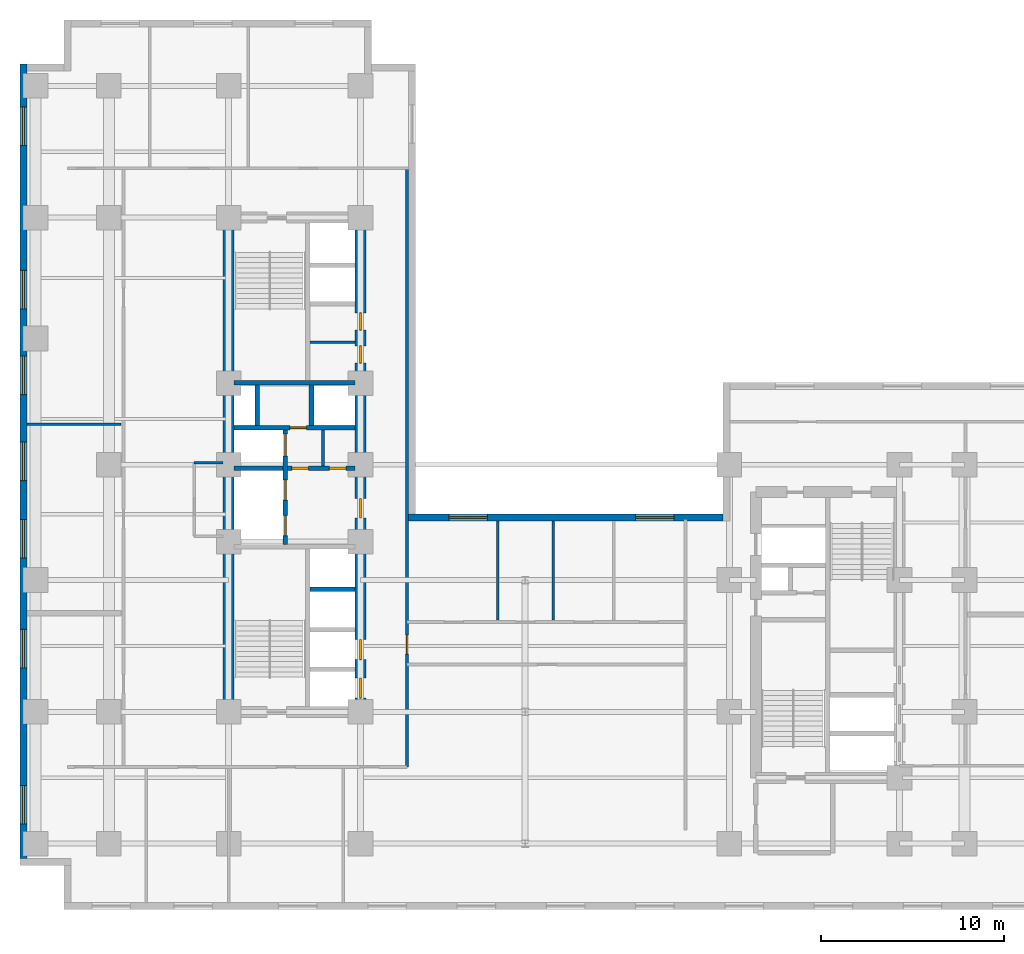
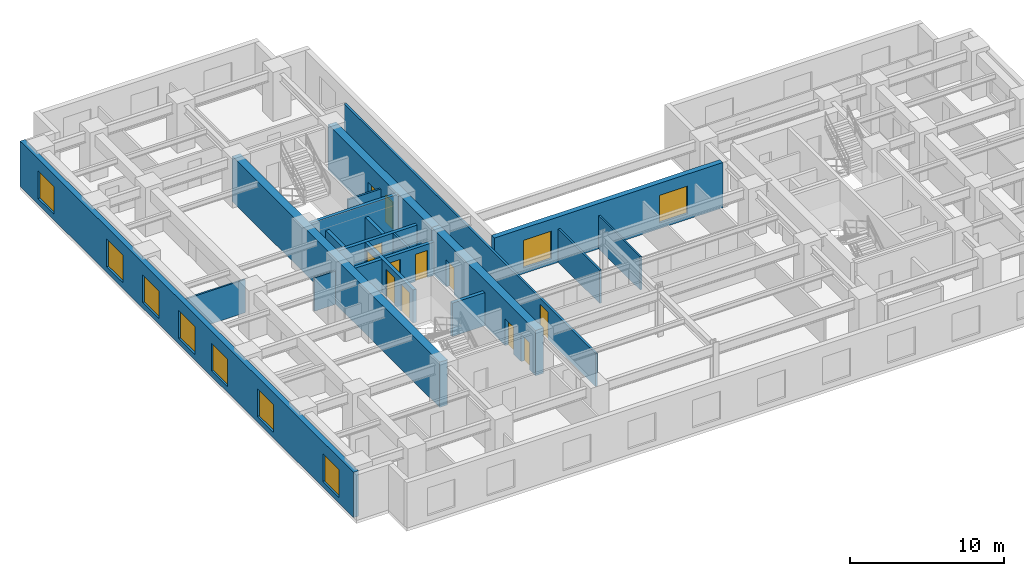
# One storey, part 4 of 10: 19 walls, 12 doors, 9 windows, 21 openings.
"""IFC4 building model written with IfcOpenShell, lengths in metres."""

from ifc_helpers import new_model, entity, si_unit, converted_unit, direction, frame, origin_with_axes, origin_2d_with_axis, place, context, subcontext, project, spatial, polyline, rectangle, outline, extrude, material, layer, layer_set, type_object, element, fill, save


model = new_model("IFC4")

# Units and contexts
model_context = context("Model", 3, precision=1e-05, world=origin_with_axes(), true_north=direction((0.0, 1.0)))
body_context = subcontext(model_context, "Body", "Model", "MODEL_VIEW")
ifc_project = project(units=[si_unit("LENGTHUNIT", "METRE"), si_unit("AREAUNIT", "SQUARE_METRE"), si_unit("VOLUMEUNIT", "CUBIC_METRE"), converted_unit("PLANEANGLEUNIT", "DEGREE", entity("IfcPlaneAngleMeasure", 0.017453292519943295), si_unit("PLANEANGLEUNIT", "RADIAN"), dimensions=[0, 0, 0, 0, 0, 0, 0]), si_unit("MASSUNIT", "GRAM", prefix="KILO"), si_unit("THERMODYNAMICTEMPERATUREUNIT", "KELVIN")], contexts=[model_context])

# Site, building, storey
site_placement = place(None, origin_with_axes())
site = spatial("IfcSite", under=ifc_project, at=site_placement, CompositionType="ELEMENT")
building_placement = place(site_placement, origin_with_axes())
building = spatial("IfcBuilding", under=site, at=building_placement, Name="Varnlund Millrace Tower", CompositionType="ELEMENT")
storey_placement = place(building_placement, frame((0.0, 0.0, 75.6), z_axis=(0.0, 0.0, 1.0), x_axis=(1.0, 0.0, 0.0)))
storey = spatial("IfcBuildingStorey", under=building, at=storey_placement, Name="L18", CompositionType="ELEMENT", Elevation=75.6)

# Wall
ifc_material_1 = material(Name="Concrete C80/95", Category="concrete")
ifc_layer_1 = layer(ifc_material_1, 0.6, Name="Concrete C80/95")
ifc_layer_set_1 = layer_set([ifc_layer_1], Name="Concrete C80/95")
wall_type_1 = type_object("IfcWallType", Name="Type-CoreWall-Shear-600-C80", PredefinedType="SHEAR", material=ifc_layer_set_1)
wall_1_placement = place(storey_placement, frame((11.4, 10.8, 0.0), z_axis=(0.0, 0.0, 1.0), x_axis=(0.0, 1.0, 0.0)))
element("IfcWall", 1, at=wall_1_placement, inside=storey, type_object=wall_type_1, Name="Type-CoreWall-Shear-600-C80", PredefinedType="SHEAR", context=body_context, shape_type="SweptSolid", body=[
    extrude(outline(polyline([(0.0, -0.3), (27.0, -0.3), (27.0, 0.3), (0.0, 0.3), (0.0, -0.3)])), origin_with_axes(), (0.0, 0.0, 1.0), 3.6),
])

# Wall, openings, doors
wall_2_placement = place(storey_placement, frame((18.6, 10.8, 0.0), z_axis=(0.0, 0.0, 1.0), x_axis=(0.0, 1.0, 0.0)))
wall_2 = element("IfcWall", 2, at=wall_2_placement, inside=storey, type_object=wall_type_1, Name="Type-CoreWall-Shear-600-C80", PredefinedType="SHEAR", context=body_context, shape_type="SweptSolid", body=[
    extrude(outline(polyline([(0.0, -0.3), (13.5, -0.3), (13.5, 0.3), (0.0, 0.3), (0.0, -0.3)])), origin_with_axes(), (0.0, 0.0, 1.0), 3.6),
])
opening_1_placement = place(wall_2_placement, frame((1.3, 0.0, 0.0), z_axis=(0.0, 0.0, 1.0), x_axis=(1.0, 0.0, 0.0)))
opening_1 = element("IfcOpeningElement", 3, at=opening_1_placement, cuts=wall_2, Name="Opening L18:LD-ELV-L1", PredefinedType="OPENING", context=body_context, shape_type="SweptSolid", body=[
    extrude(rectangle(XDim=1.1, YDim=0.62, at=origin_2d_with_axis()), origin_with_axes(), (0.0, 0.0, 1.0), 2.15),
])
opening_2_placement = place(wall_2_placement, frame((3.4, 0.0, 0.0), z_axis=(0.0, 0.0, 1.0), x_axis=(1.0, 0.0, 0.0)))
opening_2 = element("IfcOpeningElement", 4, at=opening_2_placement, cuts=wall_2, Name="Opening L18:LD-ELV-L2", PredefinedType="OPENING", context=body_context, shape_type="SweptSolid", body=[
    extrude(rectangle(XDim=1.1, YDim=0.62, at=origin_2d_with_axis()), origin_with_axes(), (0.0, 0.0, 1.0), 2.15),
])
opening_3_placement = place(wall_2_placement, frame((11.125, 0.0, 0.0), z_axis=(0.0, 0.0, 1.0), x_axis=(1.0, 0.0, 0.0)))
opening_3 = element("IfcOpeningElement", 5, at=opening_3_placement, cuts=wall_2, Name="Opening L18:DR-FFLOB-A", PredefinedType="OPENING", context=body_context, shape_type="SweptSolid", body=[
    extrude(rectangle(XDim=1.05, YDim=0.62, at=origin_2d_with_axis()), origin_with_axes(), (0.0, 0.0, 1.0), 2.15),
])
ifc_material_2 = material(Name="Smoke-barrier hollow steel fire door", Category="steel")
door_type_1 = type_object("IfcDoorType", Name="Type-FireDoor-Lobby-1050X2150", OperationType="NOTDEFINED", PredefinedType="DOOR", material=ifc_material_2)
door_1_placement = place(wall_2_placement, frame((11.125, 0.0, 0.0), z_axis=(0.0, 0.0, 1.0), x_axis=(1.0, 0.0, 0.0)))
door_1 = element("IfcDoor", 6, at=door_1_placement, inside=storey, type_object=door_type_1, Name="Type-FireDoor-Lobby-1050X2150", OperationType="SINGLE_SWING_LEFT", OverallHeight=2.15, OverallWidth=1.05, PredefinedType="DOOR", context=body_context, shape_type="SweptSolid", body=[
    extrude(rectangle(XDim=1.05, YDim=0.09, at=origin_2d_with_axis()), origin_with_axes(), (0.0, 0.0, 1.0), 2.15),
])
fill(opening_3, door_1)
ifc_material_3 = material(Name="Stainless and architectural bronze sliding landing door")
door_type_2 = type_object("IfcDoorType", Name="Type-LiftLandingDoor-1100X2150", OperationType="NOTDEFINED", PredefinedType="DOOR", material=ifc_material_3)
door_2_placement = place(wall_2_placement, frame((1.3, 0.0, 0.0), z_axis=(0.0, 0.0, 1.0), x_axis=(1.0, 0.0, 0.0)))
door_2 = element("IfcDoor", 7, at=door_2_placement, inside=storey, type_object=door_type_2, Name="Type-LiftLandingDoor-1100X2150", OperationType="SLIDING_TO_LEFT", OverallHeight=2.15, OverallWidth=1.1, PredefinedType="DOOR", context=body_context, shape_type="SweptSolid", body=[
    extrude(rectangle(XDim=1.1, YDim=0.09, at=origin_2d_with_axis()), origin_with_axes(), (0.0, 0.0, 1.0), 2.15),
])
fill(opening_1, door_2)
door_3_placement = place(wall_2_placement, frame((3.4, 0.0, 0.0), z_axis=(0.0, 0.0, 1.0), x_axis=(1.0, 0.0, 0.0)))
door_3 = element("IfcDoor", 8, at=door_3_placement, inside=storey, type_object=door_type_2, Name="Type-LiftLandingDoor-1100X2150", OperationType="SLIDING_TO_RIGHT", OverallHeight=2.15, OverallWidth=1.1, PredefinedType="DOOR", context=body_context, shape_type="SweptSolid", body=[
    extrude(rectangle(XDim=1.1, YDim=0.09, at=origin_2d_with_axis()), origin_with_axes(), (0.0, 0.0, 1.0), 2.15),
])
fill(opening_2, door_3)

wall_3_placement = place(storey_placement, frame((18.6, 24.3, 0.0), z_axis=(0.0, 0.0, 1.0), x_axis=(0.0, 1.0, 0.0)))
wall_3 = element("IfcWall", 9, at=wall_3_placement, inside=storey, type_object=wall_type_1, Name="Type-CoreWall-Shear-600-C80", PredefinedType="SHEAR", context=body_context, shape_type="SweptSolid", body=[
    extrude(outline(polyline([(0.0, -0.3), (13.5, -0.3), (13.5, 0.3), (0.0, 0.3), (0.0, -0.3)])), origin_with_axes(), (0.0, 0.0, 1.0), 3.6),
])
opening_4_placement = place(wall_3_placement, frame((6.025, 0.0, 0.0), z_axis=(0.0, 0.0, 1.0), x_axis=(1.0, 0.0, 0.0)))
opening_4 = element("IfcOpeningElement", 10, at=opening_4_placement, cuts=wall_3, Name="Opening L18:DR-CA-WC1", PredefinedType="OPENING", context=body_context, shape_type="SweptSolid", body=[
    extrude(rectangle(XDim=0.95, YDim=0.62, at=origin_2d_with_axis()), origin_with_axes(), (0.0, 0.0, 1.0), 2.15),
])
opening_5_placement = place(wall_3_placement, frame((7.825, 0.0, 0.0), z_axis=(0.0, 0.0, 1.0), x_axis=(1.0, 0.0, 0.0)))
opening_5 = element("IfcOpeningElement", 11, at=opening_5_placement, cuts=wall_3, Name="Opening L18:DR-CA-WC2", PredefinedType="OPENING", context=body_context, shape_type="SweptSolid", body=[
    extrude(rectangle(XDim=0.95, YDim=0.62, at=origin_2d_with_axis()), origin_with_axes(), (0.0, 0.0, 1.0), 2.15),
])
ifc_material_4 = material(Name="Fire-rated hollow steel core service door", Category="steel")
door_type_3 = type_object("IfcDoorType", Name="Type-FireDoor-Service-950X2150", OperationType="NOTDEFINED", PredefinedType="DOOR", material=ifc_material_4)
door_4_placement = place(wall_3_placement, frame((6.025, 0.0, 0.0), z_axis=(0.0, 0.0, 1.0), x_axis=(1.0, 0.0, 0.0)))
door_4 = element("IfcDoor", 12, at=door_4_placement, inside=storey, type_object=door_type_3, Name="Type-FireDoor-Service-950X2150", OperationType="SINGLE_SWING_RIGHT", OverallHeight=2.15, OverallWidth=0.95, PredefinedType="DOOR", context=body_context, shape_type="SweptSolid", body=[
    extrude(rectangle(XDim=0.95, YDim=0.09, at=origin_2d_with_axis()), origin_with_axes(), (0.0, 0.0, 1.0), 2.15),
])
fill(opening_4, door_4)
door_5_placement = place(wall_3_placement, frame((7.825, 0.0, 0.0), z_axis=(0.0, 0.0, 1.0), x_axis=(1.0, 0.0, 0.0)))
door_5 = element("IfcDoor", 13, at=door_5_placement, inside=storey, type_object=door_type_3, Name="Type-FireDoor-Service-950X2150", OperationType="SINGLE_SWING_RIGHT", OverallHeight=2.15, OverallWidth=0.95, PredefinedType="DOOR", context=body_context, shape_type="SweptSolid", body=[
    extrude(rectangle(XDim=0.95, YDim=0.09, at=origin_2d_with_axis()), origin_with_axes(), (0.0, 0.0, 1.0), 2.15),
])
fill(opening_5, door_5)

# Wall, openings, windows
ifc_material_5 = material(Name="Precast concrete C50/60", Category="concrete")
ifc_layer_2 = layer(ifc_material_5, 0.38, Name="Precast concrete C50/60")
ifc_layer_set_2 = layer_set([ifc_layer_2], Name="Precast concrete C50/60")
wall_type_2 = type_object("IfcWallType", Name="Type-ExtWall-Precast-Tube-380", PredefinedType="SOLIDWALL", material=ifc_layer_set_2)
wall_4_placement = place(storey_placement, frame((0.19, 2.78, 0.0), z_axis=(0.0, 0.0, 1.0), x_axis=(0.0, 1.0, 0.0)))
wall_4 = element("IfcWall", 14, at=wall_4_placement, inside=storey, type_object=wall_type_2, Name="Type-ExtWall-Precast-Tube-380", PredefinedType="SOLIDWALL", context=body_context, shape_type="SweptSolid", body=[
    extrude(outline(polyline([(0.0, -0.19), (43.42, -0.19), (43.42, 0.19), (0.0, 0.19), (0.0, -0.19)])), origin_with_axes(), (0.0, 0.0, 1.0), 3.6),
])
opening_6_placement = place(wall_4_placement, frame((2.946, 0.0, 0.45), z_axis=(0.0, 0.0, 1.0), x_axis=(1.0, 0.0, 0.0)))
opening_6 = element("IfcOpeningElement", 15, at=opening_6_placement, cuts=wall_4, Name="Opening L18:WN-17", PredefinedType="OPENING", context=body_context, shape_type="SweptSolid", body=[
    extrude(rectangle(XDim=2.1, YDim=0.4, at=origin_2d_with_axis()), origin_with_axes(), (0.0, 0.0, 1.0), 2.2),
])
opening_7_placement = place(wall_4_placement, frame((11.478, 0.0, 0.45), z_axis=(0.0, 0.0, 1.0), x_axis=(1.0, 0.0, 0.0)))
opening_7 = element("IfcOpeningElement", 16, at=opening_7_placement, cuts=wall_4, Name="Opening L18:WN-18", PredefinedType="OPENING", context=body_context, shape_type="SweptSolid", body=[
    extrude(rectangle(XDim=2.1, YDim=0.4, at=origin_2d_with_axis()), origin_with_axes(), (0.0, 0.0, 1.0), 2.2),
])
opening_8_placement = place(wall_4_placement, frame((17.469, 0.0, 0.45), z_axis=(0.0, 0.0, 1.0), x_axis=(1.0, 0.0, 0.0)))
opening_8 = element("IfcOpeningElement", 17, at=opening_8_placement, cuts=wall_4, Name="Opening L18:WN-19", PredefinedType="OPENING", context=body_context, shape_type="SweptSolid", body=[
    extrude(rectangle(XDim=2.1, YDim=0.4, at=origin_2d_with_axis()), origin_with_axes(), (0.0, 0.0, 1.0), 2.2),
])
opening_9_placement = place(wall_4_placement, frame((21.71, 0.0, 0.45), z_axis=(0.0, 0.0, 1.0), x_axis=(1.0, 0.0, 0.0)))
opening_9 = element("IfcOpeningElement", 18, at=opening_9_placement, cuts=wall_4, Name="Opening L18:WN-20", PredefinedType="OPENING", context=body_context, shape_type="SweptSolid", body=[
    extrude(rectangle(XDim=2.1, YDim=0.4, at=origin_2d_with_axis()), origin_with_axes(), (0.0, 0.0, 1.0), 2.2),
])
opening_10_placement = place(wall_4_placement, frame((26.401, 0.0, 0.45), z_axis=(0.0, 0.0, 1.0), x_axis=(1.0, 0.0, 0.0)))
opening_10 = element("IfcOpeningElement", 19, at=opening_10_placement, cuts=wall_4, Name="Opening L18:WN-21", PredefinedType="OPENING", context=body_context, shape_type="SweptSolid", body=[
    extrude(rectangle(XDim=2.1, YDim=0.4, at=origin_2d_with_axis()), origin_with_axes(), (0.0, 0.0, 1.0), 2.2),
])
opening_11_placement = place(wall_4_placement, frame((31.092, 0.0, 0.45), z_axis=(0.0, 0.0, 1.0), x_axis=(1.0, 0.0, 0.0)))
opening_11 = element("IfcOpeningElement", 20, at=opening_11_placement, cuts=wall_4, Name="Opening L18:WN-22", PredefinedType="OPENING", context=body_context, shape_type="SweptSolid", body=[
    extrude(rectangle(XDim=2.1, YDim=0.4, at=origin_2d_with_axis()), origin_with_axes(), (0.0, 0.0, 1.0), 2.2),
])
opening_12_placement = place(wall_4_placement, frame((40.024, 0.0, 0.45), z_axis=(0.0, 0.0, 1.0), x_axis=(1.0, 0.0, 0.0)))
opening_12 = element("IfcOpeningElement", 21, at=opening_12_placement, cuts=wall_4, Name="Opening L18:WN-23", PredefinedType="OPENING", context=body_context, shape_type="SweptSolid", body=[
    extrude(rectangle(XDim=2.1, YDim=0.4, at=origin_2d_with_axis()), origin_with_axes(), (0.0, 0.0, 1.0), 2.2),
])
ifc_material_6 = material(Name="Argon low-e triple glazing in thermally broken bronze frame", Category="glass")
window_type = type_object("IfcWindowType", Name="Type-Window-Punched-2100X2200", PartitioningType="SINGLE_PANEL", PredefinedType="WINDOW", material=ifc_material_6)
window_1_placement = place(wall_4_placement, frame((2.946, 0.0, 0.45), z_axis=(0.0, 0.0, 1.0), x_axis=(1.0, 0.0, 0.0)))
window_1 = element("IfcWindow", 22, at=window_1_placement, inside=storey, type_object=window_type, Name="Type-Window-Punched-2100X2200", OverallHeight=2.2, OverallWidth=2.1, PredefinedType="WINDOW", context=body_context, shape_type="SweptSolid", body=[
    extrude(rectangle(XDim=2.1, YDim=0.09, at=origin_2d_with_axis()), origin_with_axes(), (0.0, 0.0, 1.0), 2.2),
])
fill(opening_6, window_1)
window_2_placement = place(wall_4_placement, frame((11.478, 0.0, 0.45), z_axis=(0.0, 0.0, 1.0), x_axis=(1.0, 0.0, 0.0)))
window_2 = element("IfcWindow", 23, at=window_2_placement, inside=storey, type_object=window_type, Name="Type-Window-Punched-2100X2200", OverallHeight=2.2, OverallWidth=2.1, PredefinedType="WINDOW", context=body_context, shape_type="SweptSolid", body=[
    extrude(rectangle(XDim=2.1, YDim=0.09, at=origin_2d_with_axis()), origin_with_axes(), (0.0, 0.0, 1.0), 2.2),
])
fill(opening_7, window_2)
window_3_placement = place(wall_4_placement, frame((17.469, 0.0, 0.45), z_axis=(0.0, 0.0, 1.0), x_axis=(1.0, 0.0, 0.0)))
window_3 = element("IfcWindow", 24, at=window_3_placement, inside=storey, type_object=window_type, Name="Type-Window-Punched-2100X2200", OverallHeight=2.2, OverallWidth=2.1, PredefinedType="WINDOW", context=body_context, shape_type="SweptSolid", body=[
    extrude(rectangle(XDim=2.1, YDim=0.09, at=origin_2d_with_axis()), origin_with_axes(), (0.0, 0.0, 1.0), 2.2),
])
fill(opening_8, window_3)
window_4_placement = place(wall_4_placement, frame((21.71, 0.0, 0.45), z_axis=(0.0, 0.0, 1.0), x_axis=(1.0, 0.0, 0.0)))
window_4 = element("IfcWindow", 25, at=window_4_placement, inside=storey, type_object=window_type, Name="Type-Window-Punched-2100X2200", OverallHeight=2.2, OverallWidth=2.1, PredefinedType="WINDOW", context=body_context, shape_type="SweptSolid", body=[
    extrude(rectangle(XDim=2.1, YDim=0.09, at=origin_2d_with_axis()), origin_with_axes(), (0.0, 0.0, 1.0), 2.2),
])
fill(opening_9, window_4)
window_5_placement = place(wall_4_placement, frame((26.401, 0.0, 0.45), z_axis=(0.0, 0.0, 1.0), x_axis=(1.0, 0.0, 0.0)))
window_5 = element("IfcWindow", 26, at=window_5_placement, inside=storey, type_object=window_type, Name="Type-Window-Punched-2100X2200", OverallHeight=2.2, OverallWidth=2.1, PredefinedType="WINDOW", context=body_context, shape_type="SweptSolid", body=[
    extrude(rectangle(XDim=2.1, YDim=0.09, at=origin_2d_with_axis()), origin_with_axes(), (0.0, 0.0, 1.0), 2.2),
])
fill(opening_10, window_5)
window_6_placement = place(wall_4_placement, frame((31.092, 0.0, 0.45), z_axis=(0.0, 0.0, 1.0), x_axis=(1.0, 0.0, 0.0)))
window_6 = element("IfcWindow", 27, at=window_6_placement, inside=storey, type_object=window_type, Name="Type-Window-Punched-2100X2200", OverallHeight=2.2, OverallWidth=2.1, PredefinedType="WINDOW", context=body_context, shape_type="SweptSolid", body=[
    extrude(rectangle(XDim=2.1, YDim=0.09, at=origin_2d_with_axis()), origin_with_axes(), (0.0, 0.0, 1.0), 2.2),
])
fill(opening_11, window_6)
window_7_placement = place(wall_4_placement, frame((40.024, 0.0, 0.45), z_axis=(0.0, 0.0, 1.0), x_axis=(1.0, 0.0, 0.0)))
window_7 = element("IfcWindow", 28, at=window_7_placement, inside=storey, type_object=window_type, Name="Type-Window-Punched-2100X2200", OverallHeight=2.2, OverallWidth=2.1, PredefinedType="WINDOW", context=body_context, shape_type="SweptSolid", body=[
    extrude(rectangle(XDim=2.1, YDim=0.09, at=origin_2d_with_axis()), origin_with_axes(), (0.0, 0.0, 1.0), 2.2),
])
fill(opening_12, window_7)

wall_5_placement = place(storey_placement, frame((21.22, 21.41, 0.0), z_axis=(0.0, 0.0, 1.0), x_axis=(1.0, 0.0, 0.0)))
wall_5 = element("IfcWall", 29, at=wall_5_placement, inside=storey, type_object=wall_type_2, Name="Type-ExtWall-Precast-Tube-380", PredefinedType="SOLIDWALL", context=body_context, shape_type="SweptSolid", body=[
    extrude(outline(polyline([(0.0, -0.19), (17.18, -0.19), (17.18, 0.19), (0.0, 0.19), (0.0, -0.19)])), origin_with_axes(), (0.0, 0.0, 1.0), 3.6),
])
opening_13_placement = place(wall_5_placement, frame((3.263, 0.0, 0.45), z_axis=(0.0, 0.0, 1.0), x_axis=(1.0, 0.0, 0.0)))
opening_13 = element("IfcOpeningElement", 30, at=opening_13_placement, cuts=wall_5, Name="Opening L18:WN-28", PredefinedType="OPENING", context=body_context, shape_type="SweptSolid", body=[
    extrude(rectangle(XDim=2.1, YDim=0.4, at=origin_2d_with_axis()), origin_with_axes(), (0.0, 0.0, 1.0), 2.2),
])
opening_14_placement = place(wall_5_placement, frame((13.467, 0.0, 0.45), z_axis=(0.0, 0.0, 1.0), x_axis=(1.0, 0.0, 0.0)))
opening_14 = element("IfcOpeningElement", 31, at=opening_14_placement, cuts=wall_5, Name="Opening L18:WN-29", PredefinedType="OPENING", context=body_context, shape_type="SweptSolid", body=[
    extrude(rectangle(XDim=2.1, YDim=0.4, at=origin_2d_with_axis()), origin_with_axes(), (0.0, 0.0, 1.0), 2.2),
])
window_8_placement = place(wall_5_placement, frame((3.263, 0.0, 0.45), z_axis=(0.0, 0.0, 1.0), x_axis=(1.0, 0.0, 0.0)))
window_8 = element("IfcWindow", 32, at=window_8_placement, inside=storey, type_object=window_type, Name="Type-Window-Punched-2100X2200", OverallHeight=2.2, OverallWidth=2.1, PredefinedType="WINDOW", context=body_context, shape_type="SweptSolid", body=[
    extrude(rectangle(XDim=2.1, YDim=0.09, at=origin_2d_with_axis()), origin_with_axes(), (0.0, 0.0, 1.0), 2.2),
])
fill(opening_13, window_8)
window_9_placement = place(wall_5_placement, frame((13.467, 0.0, 0.45), z_axis=(0.0, 0.0, 1.0), x_axis=(1.0, 0.0, 0.0)))
window_9 = element("IfcWindow", 33, at=window_9_placement, inside=storey, type_object=window_type, Name="Type-Window-Punched-2100X2200", OverallHeight=2.2, OverallWidth=2.1, PredefinedType="WINDOW", context=body_context, shape_type="SweptSolid", body=[
    extrude(rectangle(XDim=2.1, YDim=0.09, at=origin_2d_with_axis()), origin_with_axes(), (0.0, 0.0, 1.0), 2.2),
])
fill(opening_14, window_9)

# Wall
ifc_material_7 = material(Name="Fire-rated gypsum board on cold-formed steel framing", Category="steel")
ifc_layer_3 = layer(ifc_material_7, 0.16, Name="Fire-rated gypsum board on cold-formed steel framing")
ifc_layer_set_3 = layer_set([ifc_layer_3], Name="Fire-rated gypsum board on cold-formed steel framing")
wall_type_3 = type_object("IfcWallType", Name="Type-Partition-Corridor-160", PredefinedType="PARTITIONING", material=ifc_layer_set_3)
wall_6_placement = place(storey_placement, frame((16.55, 24.22, 0.0), z_axis=(0.0, 0.0, 1.0), x_axis=(0.0, 1.0, 0.0)))
element("IfcWall", 34, at=wall_6_placement, inside=storey, type_object=wall_type_3, Name="Type-Partition-Corridor-160", PredefinedType="PARTITIONING", context=body_context, shape_type="SweptSolid", body=[
    extrude(outline(polyline([(0.0, -0.08), (1.98, -0.08), (1.98, 0.08), (0.0, 0.08), (0.0, -0.08)])), origin_with_axes(), (0.0, 0.0, 1.0), 2.64),
])

# Wall, opening, door
wall_7_placement = place(storey_placement, frame((21.15, 7.8, 0.0), z_axis=(0.0, 0.0, 1.0), x_axis=(0.0, 1.0, 0.0)))
wall_7 = element("IfcWall", 35, at=wall_7_placement, inside=storey, type_object=wall_type_3, Name="Type-Partition-Corridor-160", PredefinedType="PARTITIONING", context=body_context, shape_type="SweptSolid", body=[
    extrude(outline(polyline([(0.0, -0.08), (32.7, -0.08), (32.7, 0.08), (0.0, 0.08), (0.0, -0.08)])), origin_with_axes(), (0.0, 0.0, 1.0), 2.64),
])
opening_15_placement = place(wall_7_placement, frame((6.675, 0.0, 0.0), z_axis=(0.0, 0.0, 1.0), x_axis=(1.0, 0.0, 0.0)))
opening_15 = element("IfcOpeningElement", 36, at=opening_15_placement, cuts=wall_7, Name="Opening L18:DR-KN-W", PredefinedType="OPENING", context=body_context, shape_type="SweptSolid", body=[
    extrude(rectangle(XDim=1.05, YDim=0.18, at=origin_2d_with_axis()), origin_with_axes(), (0.0, 0.0, 1.0), 2.15),
])
door_6_placement = place(wall_7_placement, frame((6.675, 0.0, 0.0), z_axis=(0.0, 0.0, 1.0), x_axis=(1.0, 0.0, 0.0)))
door_6 = element("IfcDoor", 37, at=door_6_placement, inside=storey, type_object=door_type_1, Name="Type-FireDoor-Lobby-1050X2150", OperationType="SINGLE_SWING_LEFT", OverallHeight=2.15, OverallWidth=1.05, PredefinedType="DOOR", context=body_context, shape_type="SweptSolid", body=[
    extrude(rectangle(XDim=1.05, YDim=0.09, at=origin_2d_with_axis()), origin_with_axes(), (0.0, 0.0, 1.0), 2.15),
])
fill(opening_15, door_6)

# Walls
ifc_material_8 = material(Name="Acoustic STC-50 gypsum board partition", Category="gypsum")
ifc_layer_4 = layer(ifc_material_8, 0.15, Name="Acoustic STC-50 gypsum board partition")
ifc_layer_set_4 = layer_set([ifc_layer_4], Name="Acoustic STC-50 gypsum board partition")
wall_type_4 = type_object("IfcWallType", Name="Type-Partition-Demising-150", PredefinedType="PARTITIONING", material=ifc_layer_set_4)
wall_8_placement = place(storey_placement, frame((26.095, 15.82, 0.0), z_axis=(0.0, 0.0, 1.0), x_axis=(0.0, 1.0, 0.0)))
element("IfcWall", 38, at=wall_8_placement, inside=storey, type_object=wall_type_4, Name="Type-Partition-Demising-150", PredefinedType="PARTITIONING", context=body_context, shape_type="SweptSolid", body=[
    extrude(outline(polyline([(0.0, -0.075), (5.405, -0.075), (5.405, 0.075), (0.0, 0.075), (0.0, -0.075)])), origin_with_axes(), (0.0, 0.0, 1.0), 2.64),
])
ifc_material_9 = material(Name="Gypsum board tenant partition", Category="gypsum")
ifc_layer_5 = layer(ifc_material_9, 0.125, Name="Gypsum board tenant partition")
ifc_layer_set_5 = layer_set([ifc_layer_5], Name="Gypsum board tenant partition")
wall_type_5 = type_object("IfcWallType", Name="Type-Partition-Tenant-125", PredefinedType="PARTITIONING", material=ifc_layer_set_5)
wall_9_placement = place(storey_placement, frame((0.375, 26.517, 0.0), z_axis=(0.0, 0.0, 1.0), x_axis=(1.0, 0.0, 0.0)))
element("IfcWall", 39, at=wall_9_placement, inside=storey, type_object=wall_type_5, Name="Type-Partition-Tenant-125", PredefinedType="PARTITIONING", context=body_context, shape_type="SweptSolid", body=[
    extrude(outline(polyline([(0.0, -0.0625), (5.155, -0.0625), (5.155, 0.0625), (0.0, 0.0625), (0.0, -0.0625)])), origin_with_axes(), (0.0, 0.0, 1.0), 2.64),
])
wall_10_placement = place(storey_placement, frame((29.128, 15.82, 0.0), z_axis=(0.0, 0.0, 1.0), x_axis=(0.0, 1.0, 0.0)))
element("IfcWall", 40, at=wall_10_placement, inside=storey, type_object=wall_type_5, Name="Type-Partition-Tenant-125", PredefinedType="PARTITIONING", context=body_context, shape_type="SweptSolid", body=[
    extrude(outline(polyline([(0.0, -0.0625), (5.405, -0.0625), (5.405, 0.0625), (0.0, 0.0625), (0.0, -0.0625)])), origin_with_axes(), (0.0, 0.0, 1.0), 2.64),
])
ifc_material_10 = material(Name="Moisture-resistant gypsum restroom partition", Category="gypsum")
ifc_layer_6 = layer(ifc_material_10, 0.14, Name="Moisture-resistant gypsum restroom partition")
ifc_layer_set_6 = layer_set([ifc_layer_6], Name="Moisture-resistant gypsum restroom partition")
wall_type_6 = type_object("IfcWallType", Name="Type-Partition-Wet-140", PredefinedType="PARTITIONING", material=ifc_layer_set_6)
wall_11_placement = place(storey_placement, frame((15.84, 31.0, 0.0), z_axis=(0.0, 0.0, 1.0), x_axis=(1.0, 0.0, 0.0)))
element("IfcWall", 41, at=wall_11_placement, inside=storey, type_object=wall_type_6, Name="Type-Partition-Wet-140", PredefinedType="PARTITIONING", context=body_context, shape_type="SweptSolid", body=[
    extrude(outline(polyline([(0.0, -0.07), (2.46, -0.07), (2.46, 0.07), (0.0, 0.07), (0.0, -0.07)])), origin_with_axes(), (0.0, 0.0, 1.0), 2.64),
])
wall_12_placement = place(storey_placement, frame((9.52, 24.4, 0.0), z_axis=(0.0, 0.0, 1.0), x_axis=(1.0, 0.0, 0.0)))
element("IfcWall", 42, at=wall_12_placement, inside=storey, type_object=wall_type_6, Name="Type-Partition-Wet-140", PredefinedType="PARTITIONING", context=body_context, shape_type="SweptSolid", body=[
    extrude(outline(polyline([(0.0, -0.07), (1.58, -0.07), (1.58, 0.07), (0.0, 0.07), (0.0, -0.07)])), origin_with_axes(), (0.0, 0.0, 1.0), 2.64),
])

# Wall, openings, doors
ifc_material_11 = material(Name="Concrete C60/75", Category="concrete")
ifc_layer_7 = layer(ifc_material_11, 0.25, Name="Concrete C60/75")
ifc_layer_set_7 = layer_set([ifc_layer_7], Name="Concrete C60/75")
wall_type_7 = type_object("IfcWallType", Name="Type-ShaftWall-Fire-250", PredefinedType="SOLIDWALL", material=ifc_layer_set_7)
wall_13_placement = place(storey_placement, frame((14.5, 19.95, 0.0), z_axis=(0.0, 0.0, 1.0), x_axis=(0.0, 1.0, 0.0)))
wall_13 = element("IfcWall", 43, at=wall_13_placement, inside=storey, type_object=wall_type_7, Name="Type-ShaftWall-Fire-250", PredefinedType="SOLIDWALL", context=body_context, shape_type="SweptSolid", body=[
    extrude(outline(polyline([(0.0, -0.125), (6.25, -0.125), (6.25, 0.125), (0.0, 0.125), (0.0, -0.125)])), origin_with_axes(), (0.0, 0.0, 1.0), 2.64),
])
opening_16_placement = place(wall_13_placement, frame((1.025, 0.0, 0.0), z_axis=(0.0, 0.0, 1.0), x_axis=(1.0, 0.0, 0.0)))
opening_16 = element("IfcOpeningElement", 44, at=opening_16_placement, cuts=wall_13, Name="Opening L18:LD-FSAE1", PredefinedType="OPENING", context=body_context, shape_type="SweptSolid", body=[
    extrude(rectangle(XDim=1.1, YDim=0.27, at=origin_2d_with_axis()), origin_with_axes(), (0.0, 0.0, 1.0), 2.15),
])
opening_17_placement = place(wall_13_placement, frame((2.975, 0.0, 0.0), z_axis=(0.0, 0.0, 1.0), x_axis=(1.0, 0.0, 0.0)))
opening_17 = element("IfcOpeningElement", 45, at=opening_17_placement, cuts=wall_13, Name="Opening L18:LD-FSAE2", PredefinedType="OPENING", context=body_context, shape_type="SweptSolid", body=[
    extrude(rectangle(XDim=1.1, YDim=0.27, at=origin_2d_with_axis()), origin_with_axes(), (0.0, 0.0, 1.0), 2.15),
])
opening_18_placement = place(wall_13_placement, frame((5.425, 0.0, 0.0), z_axis=(0.0, 0.0, 1.0), x_axis=(1.0, 0.0, 0.0)))
opening_18 = element("IfcOpeningElement", 46, at=opening_18_placement, cuts=wall_13, Name="Opening L18:LD-SRV1", PredefinedType="OPENING", context=body_context, shape_type="SweptSolid", body=[
    extrude(rectangle(XDim=1.2, YDim=0.27, at=origin_2d_with_axis()), origin_with_axes(), (0.0, 0.0, 1.0), 2.15),
])
door_7_placement = place(wall_13_placement, frame((1.025, 0.0, 0.0), z_axis=(0.0, 0.0, 1.0), x_axis=(1.0, 0.0, 0.0)))
door_7 = element("IfcDoor", 47, at=door_7_placement, inside=storey, type_object=door_type_2, Name="Type-LiftLandingDoor-1100X2150", OperationType="SLIDING_TO_LEFT", OverallHeight=2.15, OverallWidth=1.1, PredefinedType="DOOR", context=body_context, shape_type="SweptSolid", body=[
    extrude(rectangle(XDim=1.1, YDim=0.09, at=origin_2d_with_axis()), origin_with_axes(), (0.0, 0.0, 1.0), 2.15),
])
fill(opening_16, door_7)
door_8_placement = place(wall_13_placement, frame((2.975, 0.0, 0.0), z_axis=(0.0, 0.0, 1.0), x_axis=(1.0, 0.0, 0.0)))
door_8 = element("IfcDoor", 48, at=door_8_placement, inside=storey, type_object=door_type_2, Name="Type-LiftLandingDoor-1100X2150", OperationType="SLIDING_TO_RIGHT", OverallHeight=2.15, OverallWidth=1.1, PredefinedType="DOOR", context=body_context, shape_type="SweptSolid", body=[
    extrude(rectangle(XDim=1.1, YDim=0.09, at=origin_2d_with_axis()), origin_with_axes(), (0.0, 0.0, 1.0), 2.15),
])
fill(opening_17, door_8)
ifc_material_12 = material(Name="Heavy-duty freight sliding landing door")
door_type_4 = type_object("IfcDoorType", Name="Type-LiftLandingDoor-Service-1200X2150", OperationType="NOTDEFINED", PredefinedType="DOOR", material=ifc_material_12)
door_9_placement = place(wall_13_placement, frame((5.425, 0.0, 0.0), z_axis=(0.0, 0.0, 1.0), x_axis=(1.0, 0.0, 0.0)))
door_9 = element("IfcDoor", 49, at=door_9_placement, inside=storey, type_object=door_type_4, Name="Type-LiftLandingDoor-Service-1200X2150", OperationType="DOUBLE_DOOR_SLIDING", OverallHeight=2.15, OverallWidth=1.2, PredefinedType="DOOR", context=body_context, shape_type="SweptSolid", body=[
    extrude(rectangle(XDim=1.2, YDim=0.09, at=origin_2d_with_axis()), origin_with_axes(), (0.0, 0.0, 1.0), 2.15),
])
fill(opening_18, door_9)

wall_14_placement = place(storey_placement, frame((11.7, 24.1, 0.0), z_axis=(0.0, 0.0, 1.0), x_axis=(1.0, 0.0, 0.0)))
wall_14 = element("IfcWall", 50, at=wall_14_placement, inside=storey, type_object=wall_type_7, Name="Type-ShaftWall-Fire-250", PredefinedType="SOLIDWALL", context=body_context, shape_type="SweptSolid", body=[
    extrude(outline(polyline([(0.0, -0.125), (6.6, -0.125), (6.6, 0.125), (0.0, 0.125), (0.0, -0.125)])), origin_with_axes(), (0.0, 0.0, 1.0), 2.64),
])
opening_19_placement = place(wall_14_placement, frame((3.6, 0.0, 0.0), z_axis=(0.0, 0.0, 1.0), x_axis=(1.0, 0.0, 0.0)))
opening_19 = element("IfcOpeningElement", 51, at=opening_19_placement, cuts=wall_14, Name="Opening L18:DR-CA-SUB1", PredefinedType="OPENING", context=body_context, shape_type="SweptSolid", body=[
    extrude(rectangle(XDim=0.9, YDim=0.27, at=origin_2d_with_axis()), origin_with_axes(), (0.0, 0.0, 1.0), 2.15),
])
opening_20_placement = place(wall_14_placement, frame((5.65, 0.0, 0.0), z_axis=(0.0, 0.0, 1.0), x_axis=(1.0, 0.0, 0.0)))
opening_20 = element("IfcOpeningElement", 52, at=opening_20_placement, cuts=wall_14, Name="Opening L18:DR-CA-SUB2", PredefinedType="OPENING", context=body_context, shape_type="SweptSolid", body=[
    extrude(rectangle(XDim=0.9, YDim=0.27, at=origin_2d_with_axis()), origin_with_axes(), (0.0, 0.0, 1.0), 2.15),
])
ifc_material_13 = material(Name="Fire-rated hollow steel service closet door", Category="steel")
door_type_5 = type_object("IfcDoorType", Name="Type-FireDoor-Closet-900X2150", OperationType="NOTDEFINED", PredefinedType="DOOR", material=ifc_material_13)
door_10_placement = place(wall_14_placement, frame((3.6, 0.0, 0.0), z_axis=(0.0, 0.0, 1.0), x_axis=(1.0, 0.0, 0.0)))
door_10 = element("IfcDoor", 53, at=door_10_placement, inside=storey, type_object=door_type_5, Name="Type-FireDoor-Closet-900X2150", OperationType="SINGLE_SWING_LEFT", OverallHeight=2.15, OverallWidth=0.9, PredefinedType="DOOR", context=body_context, shape_type="SweptSolid", body=[
    extrude(rectangle(XDim=0.9, YDim=0.09, at=origin_2d_with_axis()), origin_with_axes(), (0.0, 0.0, 1.0), 2.15),
])
fill(opening_19, door_10)
door_11_placement = place(wall_14_placement, frame((5.65, 0.0, 0.0), z_axis=(0.0, 0.0, 1.0), x_axis=(1.0, 0.0, 0.0)))
door_11 = element("IfcDoor", 54, at=door_11_placement, inside=storey, type_object=door_type_5, Name="Type-FireDoor-Closet-900X2150", OperationType="SINGLE_SWING_LEFT", OverallHeight=2.15, OverallWidth=0.9, PredefinedType="DOOR", context=body_context, shape_type="SweptSolid", body=[
    extrude(rectangle(XDim=0.9, YDim=0.09, at=origin_2d_with_axis()), origin_with_axes(), (0.0, 0.0, 1.0), 2.15),
])
fill(opening_20, door_11)

# Wall, opening, door
wall_15_placement = place(storey_placement, frame((11.7, 26.325, 0.0), z_axis=(0.0, 0.0, 1.0), x_axis=(1.0, 0.0, 0.0)))
wall_15 = element("IfcWall", 55, at=wall_15_placement, inside=storey, type_object=wall_type_7, Name="Type-ShaftWall-Fire-250", PredefinedType="SOLIDWALL", context=body_context, shape_type="SweptSolid", body=[
    extrude(outline(polyline([(0.0, -0.125), (6.6, -0.125), (6.6, 0.125), (0.0, 0.125), (0.0, -0.125)])), origin_with_axes(), (0.0, 0.0, 1.0), 2.64),
])
opening_21_placement = place(wall_15_placement, frame((3.5, 0.0, 0.0), z_axis=(0.0, 0.0, 1.0), x_axis=(1.0, 0.0, 0.0)))
opening_21 = element("IfcOpeningElement", 56, at=opening_21_placement, cuts=wall_15, Name="Opening L18:DR-CA-ELC", PredefinedType="OPENING", context=body_context, shape_type="SweptSolid", body=[
    extrude(rectangle(XDim=0.9, YDim=0.27, at=origin_2d_with_axis()), origin_with_axes(), (0.0, 0.0, 1.0), 2.15),
])
door_12_placement = place(wall_15_placement, frame((3.5, 0.0, 0.0), z_axis=(0.0, 0.0, 1.0), x_axis=(1.0, 0.0, 0.0)))
door_12 = element("IfcDoor", 57, at=door_12_placement, inside=storey, type_object=door_type_5, Name="Type-FireDoor-Closet-900X2150", OperationType="SINGLE_SWING_LEFT", OverallHeight=2.15, OverallWidth=0.9, PredefinedType="DOOR", context=body_context, shape_type="SweptSolid", body=[
    extrude(rectangle(XDim=0.9, YDim=0.09, at=origin_2d_with_axis()), origin_with_axes(), (0.0, 0.0, 1.0), 2.15),
])
fill(opening_21, door_12)

# Walls
for number, where, z_axis, x_axis, name in (
    (58, (12.96, 26.45, 0.0), (0.0, 0.0, 1.0), (0.0, 1.0, 0.0), "Type-ShaftWall-Fire-250"),
    (59, (15.925, 26.45, 0.0), (0.0, 0.0, 1.0), (0.0, 1.0, 0.0), "Type-ShaftWall-Fire-250"),
):
    element("IfcWall", number, at=place(storey_placement, frame(where, z_axis=z_axis, x_axis=x_axis)), inside=storey, type_object=wall_type_7, Name=name, PredefinedType="SOLIDWALL", context=body_context, shape_type="SweptSolid", body=[
        extrude(outline(polyline([(0.0, -0.125), (2.2, -0.125), (2.2, 0.125), (0.0, 0.125), (0.0, -0.125)])), origin_with_axes(), (0.0, 0.0, 1.0), 2.64),
    ])
wall_16_placement = place(storey_placement, frame((15.84, 17.49, 0.0), z_axis=(0.0, 0.0, 1.0), x_axis=(1.0, 0.0, 0.0)))
element("IfcWall", 60, at=wall_16_placement, inside=storey, type_object=wall_type_7, Name="Type-ShaftWall-Fire-250", PredefinedType="SOLIDWALL", context=body_context, shape_type="SweptSolid", body=[
    extrude(outline(polyline([(0.0, -0.125), (2.46, -0.125), (2.46, 0.125), (0.0, 0.125), (0.0, -0.125)])), origin_with_axes(), (0.0, 0.0, 1.0), 2.64),
])
wall_type_8 = type_object("IfcWallType", Name="Type-StairWall-Shear-250", PredefinedType="SHEAR", material=ifc_layer_set_7)
wall_17_placement = place(storey_placement, frame((11.7, 28.775, 0.0), z_axis=(0.0, 0.0, 1.0), x_axis=(1.0, 0.0, 0.0)))
element("IfcWall", 61, at=wall_17_placement, inside=storey, type_object=wall_type_8, Name="Type-StairWall-Shear-250", PredefinedType="SHEAR", context=body_context, shape_type="SweptSolid", body=[
    extrude(outline(polyline([(0.0, -0.125), (6.6, -0.125), (6.6, 0.125), (0.0, 0.125), (0.0, -0.125)])), origin_with_axes(), (0.0, 0.0, 1.0), 3.6),
])

save(model, "model.ifc")
